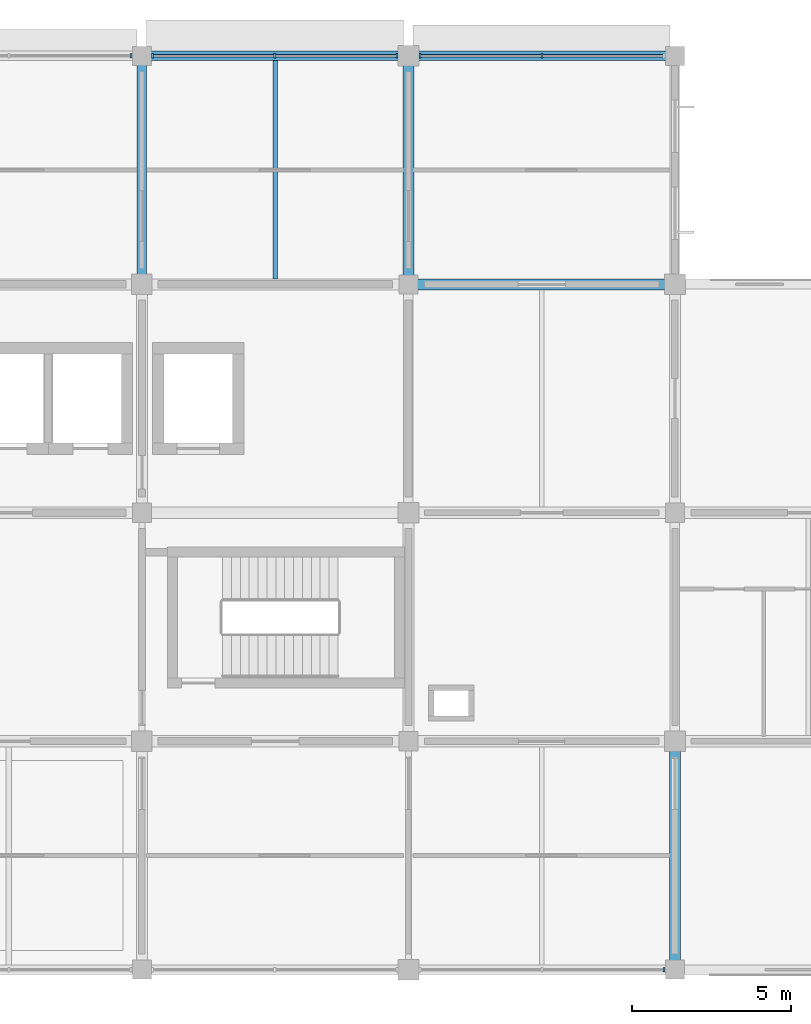
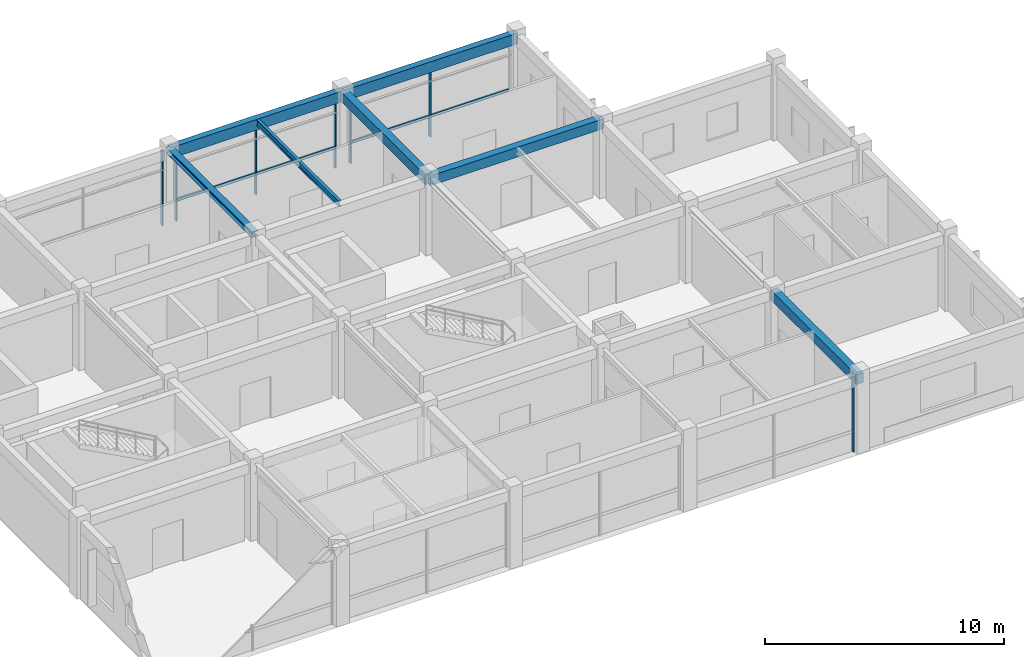
# One storey, part 5 of 13: 11 members, 7 beams, 4 elements without a shape of their own.
"""IFC4 building model written with IfcOpenShell, lengths in metres."""

import ifcopenshell
import ifcopenshell.guid

model = None  # the IFC model being written
_history = None  # IfcOwnerHistory: only IFC2X3 demands one
_inside = {}  # id of a spatial element -> (the spatial element, [elements in it])
_under = {}  # id of a project, library or spatial element -> (it, [spatial elements below it])
_declared = {}  # id of a project -> (the project, [libraries it declares])
_typed = {}  # id of a type object -> (the type object, [elements of that type])
_made_of = {}  # id of a material, layer set ... -> (it, [elements and type objects made of it])


def new_model(schema):
    """Start an empty IFC model of exactly this schema.

    Asked for "IFC4X3", IfcOpenShell would pick the latest addendum, in which some entities
    have other attributes; the version numbers below select the first issue.
    IFC2X3 requires an IfcOwnerHistory on every rooted entity: one is made here for all.
    """
    global model, _history
    if schema == "IFC4X3":
        model = ifcopenshell.file(schema_version=(4, 3, 0, 0))
    else:
        model = ifcopenshell.file(schema=schema)
    _inside.clear()
    _under.clear()
    _declared.clear()
    _typed.clear()
    _made_of.clear()
    _history = None
    if model.schema == "IFC2X3":
        org = make("IfcOrganization", Name="unknown")
        user = make(
            "IfcPersonAndOrganization",
            ThePerson=make("IfcPerson", FamilyName="unknown"),
            TheOrganization=org,
        )
        app = make(
            "IfcApplication",
            ApplicationDeveloper=org,
            Version="unknown",
            ApplicationFullName="unknown",
            ApplicationIdentifier="unknown",
        )
        _history = make(
            "IfcOwnerHistory",
            OwningUser=user,
            OwningApplication=app,
            ChangeAction="ADDED",
            CreationDate=0,
        )
    return model


def make(cls, **values):
    """One entity of the class cls with the attributes given. An attribute that is None is left unset."""
    return model.create_entity(
        cls, **{name: value for name, value in values.items() if value is not None}
    )


def rooted(cls, **values):
    """An entity with a GlobalId (a new one), such as an element, a storey or a relation."""
    return make(cls, GlobalId=ifcopenshell.guid.new(), OwnerHistory=_history, **values)


def si_unit(unit_type, name, prefix=None):
    """IfcSIUnit, for example si_unit("LENGTHUNIT", "METRE", prefix="MILLI")."""
    return make("IfcSIUnit", UnitType=unit_type, Prefix=prefix, Name=name)


def derived_unit(unit_type, elements):
    """IfcDerivedUnit: a product of units, each with its exponent."""
    return make(
        "IfcDerivedUnit",
        Elements=[
            make("IfcDerivedUnitElement", Unit=unit, Exponent=power)
            for unit, power in elements
        ],
        UnitType=unit_type,
    )


def assignment(units):
    """IfcUnitAssignment: the units of a project."""
    return None if units is None else make("IfcUnitAssignment", Units=units)


def point(xyz):
    """IfcCartesianPoint."""
    return None if xyz is None else make("IfcCartesianPoint", Coordinates=xyz)


def direction(xyz):
    """IfcDirection."""
    return None if xyz is None else make("IfcDirection", DirectionRatios=xyz)


def frame(location, z_axis=None, x_axis=None):
    """IfcAxis2Placement3D, a coordinate frame: its origin and axes. An axis left out is left unset."""
    return make(
        "IfcAxis2Placement3D",
        Location=point(location),
        Axis=direction(z_axis),
        RefDirection=direction(x_axis),
    )


def frame_2d(location, x_axis=None):
    """IfcAxis2Placement2D, a coordinate frame in the plane: its origin and x axis."""
    return make(
        "IfcAxis2Placement2D", Location=point(location), RefDirection=direction(x_axis)
    )


def origin():
    """The frame at (0, 0, 0) with its axes left unset."""
    return frame((0.0, 0.0, 0.0))


def origin_2d():
    """The frame at (0, 0) in the plane with its x axis left unset."""
    return frame_2d((0.0, 0.0))


def place(relative_to, where):
    """IfcLocalPlacement: puts the frame where relative to a parent placement (None: the world)."""
    return make(
        "IfcLocalPlacement", PlacementRelTo=relative_to, RelativePlacement=where
    )


def context(
    kind, dimensions, precision=None, world=None, true_north=None, identifier=None
):
    """IfcGeometricRepresentationContext, for example the 3D "Model" context."""
    return make(
        "IfcGeometricRepresentationContext",
        ContextIdentifier=identifier,
        ContextType=kind,
        CoordinateSpaceDimension=dimensions,
        Precision=precision,
        WorldCoordinateSystem=world,
        TrueNorth=true_north,
    )


def subcontext(parent, identifier, kind, view, scale=None):
    """IfcGeometricRepresentationSubContext, for example "Body" below "Model"."""
    return make(
        "IfcGeometricRepresentationSubContext",
        ContextIdentifier=identifier,
        ContextType=kind,
        ParentContext=parent,
        TargetScale=scale,
        TargetView=view,
    )


def project(units=None, contexts=None):
    """IfcProject with its units and contexts."""
    return rooted(
        "IfcProject",
        Name="project",
        RepresentationContexts=contexts,
        UnitsInContext=assignment(units),
    )


def spatial(cls, under=None, at=None, **own):
    """A site, building, storey or space (cls), placed at a placement, below another one or the project."""
    s = rooted(cls, ObjectPlacement=at, **own)
    if under is not None:
        _under.setdefault(under.id(), (under, []))[1].append(s)
    return s


def profile(cls, at=None, kind="AREA", **sizes):
    """A parametric profile (cls). Its sizes go by their IFC names, for example OverallWidth=200.0."""
    return make(cls, ProfileType=kind, Position=at, **sizes)


def rectangle(**sizes):
    """IfcRectangleProfileDef."""
    return profile("IfcRectangleProfileDef", **sizes)


def i_section(**sizes):
    """IfcIShapeProfileDef."""
    return profile("IfcIShapeProfileDef", **sizes)


def extrude(swept, where, along, depth):
    """IfcExtrudedAreaSolid: the profile swept, set in the frame where, extruded along a direction by depth."""
    return make(
        "IfcExtrudedAreaSolid",
        SweptArea=swept,
        Position=where,
        ExtrudedDirection=direction(along),
        Depth=depth,
    )


def shape(context_of_items, identifier, shape_type, items):
    """IfcShapeRepresentation: the items that make up one representation, for example the "Body"."""
    return make(
        "IfcShapeRepresentation",
        ContextOfItems=context_of_items,
        RepresentationIdentifier=identifier,
        RepresentationType=shape_type,
        Items=items,
    )


def material(Name=None, Category=None):
    """IfcMaterial."""
    return make("IfcMaterial", Name=Name, Category=Category)


def material_profile(
    of_material, cross_section, Name=None, Category=None, Priority=None
):
    """IfcMaterialProfile: a cross section and its material."""
    return make(
        "IfcMaterialProfile",
        Name=Name,
        Material=of_material,
        Profile=cross_section,
        Priority=Priority,
        Category=Category,
    )


def profile_set(profiles, Name=None, composite=None):
    """IfcMaterialProfileSet."""
    return make(
        "IfcMaterialProfileSet",
        Name=Name,
        MaterialProfiles=profiles,
        CompositeProfile=composite,
    )


def made_of(thing, what):
    """Note that an element or type object is made of a material, layer set ...; save() writes the relation."""
    if what is not None:
        _made_of.setdefault(what.id(), (what, []))[1].append(thing)
    return thing


def type_object(cls, material=None, **own):
    """A type object (cls), such as IfcWallType, which elements share."""
    return made_of(rooted(cls, **own), material)


def element(
    cls,
    number,
    at=None,
    inside=None,
    cuts=None,
    type_object=None,
    material=None,
    context=None,
    identifier="Body",
    shape_type=None,
    held_by="IfcProductDefinitionShape",
    body=None,
    shapes=None,
    **own,
):
    """One element of the class cls, such as IfcWall. Its Tag is "e" and its number.

    at: its placement. inside: the storey or other place that contains it. cuts: it is an
    opening in that element (IfcRelVoidsElement). A single representation is given by context,
    identifier, shape_type and body (its items); several are given by shapes. held_by: the class
    of the entity that holds the representations. save() writes the other relations.
    """
    e = rooted(cls, Tag="e%d" % number, ObjectPlacement=at, **own)
    if body is not None:
        shapes = [shape(context, identifier, shape_type, body)]
    if shapes is not None:
        e.Representation = make(held_by, Representations=shapes)
    if inside is not None:
        _inside.setdefault(inside.id(), (inside, []))[1].append(e)
    if cuts is not None:
        rooted(
            "IfcRelVoidsElement", RelatingBuildingElement=cuts, RelatedOpeningElement=e
        )
    if type_object is not None:
        _typed.setdefault(type_object.id(), (type_object, []))[1].append(e)
    return made_of(e, material)


def aggregate(whole, parts):
    """IfcRelAggregates: a whole, such as a stair, and the parts it consists of."""
    return rooted("IfcRelAggregates", RelatingObject=whole, RelatedObjects=parts)


def save(model, path):
    """Write the relations noted so far, then the file.

    IfcRelAggregates (storeys below a building ...), IfcRelContainedInSpatialStructure (elements
    in a storey), IfcRelDefinesByType, IfcRelAssociatesMaterial and IfcRelDeclares: one each for
    every whole, place, type object, material and project.
    """
    for whole, parts in _under.values():
        aggregate(whole, parts)
    for where, things in _inside.values():
        rooted(
            "IfcRelContainedInSpatialStructure",
            RelatedElements=things,
            RelatingStructure=where,
        )
    for kind, things in _typed.values():
        rooted("IfcRelDefinesByType", RelatedObjects=things, RelatingType=kind)
    for what, things in _made_of.values():
        rooted("IfcRelAssociatesMaterial", RelatedObjects=things, RelatingMaterial=what)
    for by, libraries in _declared.values():
        rooted("IfcRelDeclares", RelatingContext=by, RelatedDefinitions=libraries)
    model.write(path)


model = new_model("IFC4")

# Units and contexts
model_context = context("Model", 3, precision=1e-05, world=origin(), true_north=direction((0.0, 1.0)))
body_context = subcontext(model_context, "Body", "Model", "MODEL_VIEW")
ifc_project = project(units=[si_unit("LENGTHUNIT", "METRE"), si_unit("AREAUNIT", "SQUARE_METRE"), si_unit("VOLUMEUNIT", "CUBIC_METRE"), si_unit("PLANEANGLEUNIT", "RADIAN"), si_unit("MASSUNIT", "GRAM", prefix="KILO"), derived_unit("THERMALTRANSMITTANCEUNIT", [(si_unit("MASSUNIT", "GRAM", prefix="KILO"), 1), (si_unit("TIMEUNIT", "SECOND"), -3), (si_unit("THERMODYNAMICTEMPERATUREUNIT", "KELVIN"), -1)])], contexts=[model_context])

# Site, building, storey
site_placement = place(None, origin())
site = spatial("IfcSite", under=ifc_project, at=site_placement, CompositionType="ELEMENT")
building_placement = place(site_placement, origin())
building = spatial("IfcBuilding", under=site, at=building_placement, Name="Veldstrom Oceanarium and Marine Research Institute", CompositionType="ELEMENT")
storey_placement = place(building_placement, frame((0.0, 0.0, 56.39990234375)))
storey = spatial("IfcBuildingStorey", under=building, at=storey_placement, Name="L12", CompositionType="ELEMENT", Elevation=56.39990234375)

# Curtain wall, member
ifc_material_1 = material(Name="Anodised Aluminium Framing", Category="aluminium")
curtain_wall_type = type_object("IfcCurtainWallType", Name="ARC-CW-CW04", PredefinedType="USERDEFINED", material=ifc_material_1)
curtain_wall_1_placement = place(storey_placement, origin())
curtain_wall_1 = element("IfcCurtainWall", 1, at=curtain_wall_1_placement, inside=storey, type_object=curtain_wall_type, Name="Curtain Wall CW04 CW-L12-162", ObjectType="Curtain wall", PredefinedType="USERDEFINED")
ifc_material_2 = material(Name="Anodised Aluminium Framing", Category="aluminium")
ifc_material_profile_1 = material_profile(ifc_material_2, rectangle(XDim=0.06494140625, YDim=0.14990234375, at=origin_2d()), Name="ALU-MUL-65x150")
ifc_profile_set_1 = profile_set([ifc_material_profile_1], Name="Anodised Aluminium Framing")
member_type_1 = type_object("IfcMemberType", Name="ARC-MUL-ML2", PredefinedType="MULLION", material=ifc_profile_set_1)
member_1_placement = place(storey_placement, frame((92.06005859375, 72.0, 0.0), z_axis=(0.0, 0.0, 1.0), x_axis=(1.0, 0.0, 0.0)))
member_1 = element("IfcMember", 2, at=member_1_placement, type_object=member_type_1, Name="Curtain Wall Mullion CW-L12-162-MUL-3", PredefinedType="MULLION", context=body_context, shape_type="SweptSolid", body=[
    extrude(rectangle(XDim=0.06494140625, YDim=0.14990234375, at=origin_2d()), origin(), (0.0, 0.0, 1.0), 3.85009765625),
])
aggregate(curtain_wall_1, [member_1])

# Curtain wall, members
curtain_wall_2_placement = place(storey_placement, origin())
curtain_wall_2 = element("IfcCurtainWall", 3, at=curtain_wall_2_placement, inside=storey, type_object=curtain_wall_type, Name="Curtain Wall CW04 CW-L12-164", ObjectType="Curtain wall", PredefinedType="USERDEFINED")
member_2_placement = place(storey_placement, frame((92.739990234375, 72.0, 0.0), z_axis=(0.0, 0.0, 1.0), x_axis=(1.0, 0.0, 0.0)))
member_2 = element("IfcMember", 4, at=member_2_placement, type_object=member_type_1, Name="Curtain Wall Mullion CW-L12-164-MUL-1", PredefinedType="MULLION", context=body_context, shape_type="SweptSolid", body=[
    extrude(rectangle(XDim=0.06494140625, YDim=0.14990234375, at=origin_2d()), origin(), (0.0, 0.0, 1.0), 3.85009765625),
])
member_3_placement = place(storey_placement, frame((96.58740234375, 72.0, 0.0), z_axis=(0.0, 0.0, 1.0), x_axis=(1.0, 0.0, 0.0)))
member_3 = element("IfcMember", 5, at=member_3_placement, type_object=member_type_1, Name="Curtain Wall Mullion CW-L12-164-MUL-2", PredefinedType="MULLION", context=body_context, shape_type="SweptSolid", body=[
    extrude(rectangle(XDim=0.06494140625, YDim=0.14990234375, at=origin_2d()), origin(), (0.0, 0.0, 1.0), 3.85009765625),
])
member_4_placement = place(storey_placement, frame((100.43505859375, 72.0, 0.0), z_axis=(0.0, 0.0, 1.0), x_axis=(1.0, 0.0, 0.0)))
member_4 = element("IfcMember", 6, at=member_4_placement, type_object=member_type_1, Name="Curtain Wall Mullion CW-L12-164-MUL-3", PredefinedType="MULLION", context=body_context, shape_type="SweptSolid", body=[
    extrude(rectangle(XDim=0.06494140625, YDim=0.14990234375, at=origin_2d()), origin(), (0.0, 0.0, 1.0), 3.85009765625),
])

# Curtain wall, member
curtain_wall_3_placement = place(storey_placement, origin())
curtain_wall_3 = element("IfcCurtainWall", 7, at=curtain_wall_3_placement, inside=storey, type_object=curtain_wall_type, Name="Curtain Wall CW04 CW-L12-165", ObjectType="Curtain wall", PredefinedType="USERDEFINED")
member_5_placement = place(storey_placement, frame((108.860107421875, 43.199951171875, 0.0), z_axis=(0.0, 0.0, 1.0), x_axis=(1.0, 0.0, 0.0)))
member_5 = element("IfcMember", 8, at=member_5_placement, type_object=member_type_1, Name="Curtain Wall Mullion CW-L12-165-MUL-3", PredefinedType="MULLION", context=body_context, shape_type="SweptSolid", body=[
    extrude(rectangle(XDim=0.06494140625, YDim=0.14990234375, at=origin_2d()), origin(), (0.0, 0.0, 1.0), 3.85009765625),
])
aggregate(curtain_wall_3, [member_5])

# Curtain wall, members
curtain_wall_4_placement = place(storey_placement, origin())
curtain_wall_4 = element("IfcCurtainWall", 9, at=curtain_wall_4_placement, inside=storey, type_object=curtain_wall_type, Name="Curtain Wall CW04 CW-L12-166", ObjectType="Curtain wall", PredefinedType="USERDEFINED")
member_6_placement = place(storey_placement, frame((101.1650390625, 72.0, 0.0), z_axis=(0.0, 0.0, 1.0), x_axis=(1.0, 0.0, 0.0)))
member_6 = element("IfcMember", 10, at=member_6_placement, type_object=member_type_1, Name="Curtain Wall Mullion CW-L12-166-MUL-1", PredefinedType="MULLION", context=body_context, shape_type="SweptSolid", body=[
    extrude(rectangle(XDim=0.06494140625, YDim=0.14990234375, at=origin_2d()), origin(), (0.0, 0.0, 1.0), 3.85009765625),
])
member_7_placement = place(storey_placement, frame((105.012451171875, 72.0, 0.0), z_axis=(0.0, 0.0, 1.0), x_axis=(1.0, 0.0, 0.0)))
member_7 = element("IfcMember", 11, at=member_7_placement, type_object=member_type_1, Name="Curtain Wall Mullion CW-L12-166-MUL-2", PredefinedType="MULLION", context=body_context, shape_type="SweptSolid", body=[
    extrude(rectangle(XDim=0.06494140625, YDim=0.14990234375, at=origin_2d()), origin(), (0.0, 0.0, 1.0), 3.85009765625),
])

# Member
ifc_material_3 = material(Name="Anodised Aluminium Framing", Category="aluminium")
ifc_material_profile_2 = material_profile(ifc_material_3, rectangle(XDim=0.074951171875, YDim=0.14990234375, at=origin_2d()), Name="ALU-TRN-75x150")
ifc_profile_set_2 = profile_set([ifc_material_profile_2], Name="Anodised Aluminium Framing")
member_type_2 = type_object("IfcMemberType", Name="ARC-TRN-TR1", PredefinedType="USERDEFINED", material=ifc_profile_set_2)
member_8_placement = place(storey_placement, frame((92.780029296875, 72.0, 1.050048828125), z_axis=(1.0, 0.0, 0.0), x_axis=(0.0, 1.0, 0.0)))
member_8 = element("IfcMember", 12, at=member_8_placement, type_object=member_type_2, Name="Curtain Wall Transom CW-L12-164-TRN-1", ObjectType="Transom", PredefinedType="USERDEFINED", context=body_context, shape_type="SweptSolid", body=[
    extrude(rectangle(XDim=0.074951171875, YDim=0.14990234375, at=origin_2d()), origin(), (0.0, 0.0, 1.0), 3.767578125),
])

member_9_placement = place(storey_placement, frame((96.62744140625, 72.0, 1.050048828125), z_axis=(1.0, 0.0, 0.0), x_axis=(0.0, 1.0, 0.0)))
member_9 = element("IfcMember", 13, at=member_9_placement, type_object=member_type_2, Name="Curtain Wall Transom CW-L12-164-TRN-2", ObjectType="Transom", PredefinedType="USERDEFINED", context=body_context, shape_type="SweptSolid", body=[
    extrude(rectangle(XDim=0.074951171875, YDim=0.14990234375, at=origin_2d()), origin(), (0.0, 0.0, 1.0), 3.767578125),
])

aggregate(curtain_wall_2, [member_2, member_3, member_4, member_8, member_9])

member_10_placement = place(storey_placement, frame((101.205078125, 72.0, 1.050048828125), z_axis=(1.0, 0.0, 0.0), x_axis=(0.0, 1.0, 0.0)))
member_10 = element("IfcMember", 14, at=member_10_placement, type_object=member_type_2, Name="Curtain Wall Transom CW-L12-166-TRN-1", ObjectType="Transom", PredefinedType="USERDEFINED", context=body_context, shape_type="SweptSolid", body=[
    extrude(rectangle(XDim=0.074951171875, YDim=0.14990234375, at=origin_2d()), origin(), (0.0, 0.0, 1.0), 3.767333984375),
])

member_11_placement = place(storey_placement, frame((105.052490234375, 72.0, 1.050048828125), z_axis=(1.0, 0.0, 0.0), x_axis=(0.0, 1.0, 0.0)))
member_11 = element("IfcMember", 15, at=member_11_placement, type_object=member_type_2, Name="Curtain Wall Transom CW-L12-166-TRN-2", ObjectType="Transom", PredefinedType="USERDEFINED", context=body_context, shape_type="SweptSolid", body=[
    extrude(rectangle(XDim=0.074951171875, YDim=0.14990234375, at=origin_2d()), origin(), (0.0, 0.0, 1.0), 3.767578125),
])

aggregate(curtain_wall_4, [member_6, member_7, member_10, member_11])

# Beams
ifc_material_4 = material(Name="Concrete C40/50", Category="concrete")
ifc_material_profile_3 = material_profile(ifc_material_4, rectangle(XDim=0.35009765625, YDim=0.5, at=origin_2d()), Name="RC-BM-350x500")
ifc_profile_set_3 = profile_set([ifc_material_profile_3], Name="Concrete C40/50")
beam_type_1 = type_object("IfcBeamType", Name="STR-BM-B08", PredefinedType="BEAM", material=ifc_profile_set_3)
beam_1_placement = place(storey_placement, frame((100.800048828125, 64.800048828125, 3.6650390625), z_axis=(1.0, 0.0, 0.0), x_axis=(0.0, 1.0, 0.0)))
element("IfcBeam", 16, at=beam_1_placement, inside=storey, type_object=beam_type_1, Name="Primary Beam B08 L12-2686", PredefinedType="BEAM", context=body_context, shape_type="SweptSolid", body=[
    extrude(rectangle(XDim=0.35009765625, YDim=0.5, at=origin_2d()), origin(), (0.0, 0.0, 1.0), 8.39990234375),
])
for number, where, z_axis, x_axis, name in (
    (17, (100.800048828125, 64.800048828125, 3.6650390625), (0.0, 1.0, 0.0), (-1.0, 0.0, 0.0), "Primary Beam B08 L12-2707"),
    (18, (109.199951171875, 43.199951171875, 3.59521484375), (0.0, 1.0, 0.0), (-1.0, 0.0, 0.0), "Primary Beam B08 L12-2708"),
):
    element("IfcBeam", number, at=place(storey_placement, frame(where, z_axis=z_axis, x_axis=x_axis)), inside=storey, type_object=beam_type_1, Name=name, PredefinedType="BEAM", context=body_context, shape_type="SweptSolid", body=[
        extrude(rectangle(XDim=0.35009765625, YDim=0.5, at=origin_2d()), origin(), (0.0, 0.0, 1.0), 7.199951171875),
    ])
ifc_material_5 = material(Name="Steel S355JR", Category="steel")
ifc_material_profile_4 = material_profile(ifc_material_5, i_section(OverallWidth=0.300048828125, OverallDepth=0.2900390625, WebThickness=0.008544921875, FlangeThickness=0.013916015625, FilletRadius=0.027099609375, at=origin_2d()), Name="HEA 300")
ifc_profile_set_4 = profile_set([ifc_material_profile_4], Name="Steel S355JR")
beam_type_2 = type_object("IfcBeamType", Name="STR-BM-SB10", PredefinedType="BEAM", material=ifc_profile_set_4)
beam_2_placement = place(storey_placement, frame((92.39990234375, 64.800048828125, 3.77001953125), z_axis=(0.0, 1.0, 0.0), x_axis=(-1.0, 0.0, 0.0)))
element("IfcBeam", 19, at=beam_2_placement, inside=storey, type_object=beam_type_2, Name="Steel Tie Beam SB10 L12-2703", PredefinedType="BEAM", context=body_context, shape_type="SweptSolid", body=[
    extrude(i_section(OverallWidth=0.300048828125, OverallDepth=0.2900390625, WebThickness=0.008544921875, FlangeThickness=0.013916015625, FilletRadius=0.027099609375, at=origin_2d()), origin(), (0.0, 0.0, 1.0), 7.199951171875),
])
ifc_material_6 = material(Name="Steel S355JR", Category="steel")
ifc_material_profile_5 = material_profile(ifc_material_6, i_section(OverallWidth=0.14990234375, OverallDepth=0.300048828125, WebThickness=0.007080078125, FlangeThickness=0.0107421875, FilletRadius=0.014892578125, at=origin_2d()), Name="IPE 300")
ifc_profile_set_5 = profile_set([ifc_material_profile_5], Name="Steel S355JR")
beam_type_3 = type_object("IfcBeamType", Name="STR-JST-SJ2", PredefinedType="JOIST", material=ifc_profile_set_5)
beam_3_placement = place(storey_placement, frame((96.60009765625, 64.97509765625, 3.76513671875), z_axis=(0.0, 1.0, 0.0), x_axis=(-1.0, 0.0, 0.0)))
element("IfcBeam", 20, at=beam_3_placement, inside=storey, type_object=beam_type_3, Name="Secondary Joist SJ2 L12-2717", PredefinedType="JOIST", context=body_context, shape_type="SweptSolid", body=[
    extrude(i_section(OverallWidth=0.14990234375, OverallDepth=0.300048828125, WebThickness=0.007080078125, FlangeThickness=0.0107421875, FilletRadius=0.014892578125, at=origin_2d()), origin(), (0.0, 0.0, 1.0), 6.875),
])
ifc_material_7 = material(Name="Concrete C40/50", Category="concrete")
ifc_material_profile_6 = material_profile(ifc_material_7, rectangle(XDim=0.300048828125, YDim=0.550048828125, at=origin_2d()), Name="RC-SPN-300x550")
ifc_profile_set_6 = profile_set([ifc_material_profile_6], Name="Concrete C40/50")
beam_type_4 = type_object("IfcBeamType", Name="STR-SPN-SP2", PredefinedType="SPANDREL", material=ifc_profile_set_6)
beam_4_placement = place(storey_placement, frame((92.39990234375, 72.0, 3.64013671875), z_axis=(1.0, 0.0, 0.0), x_axis=(0.0, 1.0, 0.0)))
element("IfcBeam", 21, at=beam_4_placement, inside=storey, type_object=beam_type_4, Name="Perimeter Spandrel SPB2 L12-2682", PredefinedType="SPANDREL", context=body_context, shape_type="SweptSolid", body=[
    extrude(rectangle(XDim=0.300048828125, YDim=0.550048828125, at=origin_2d()), origin(), (0.0, 0.0, 1.0), 8.400146484375),
])
beam_5_placement = place(storey_placement, frame((100.800048828125, 72.0, 3.64013671875), z_axis=(1.0, 0.0, 0.0), x_axis=(0.0, 1.0, 0.0)))
element("IfcBeam", 22, at=beam_5_placement, inside=storey, type_object=beam_type_4, Name="Perimeter Spandrel SPB2 L12-2687", PredefinedType="SPANDREL", context=body_context, shape_type="SweptSolid", body=[
    extrude(rectangle(XDim=0.300048828125, YDim=0.550048828125, at=origin_2d()), origin(), (0.0, 0.0, 1.0), 8.39990234375),
])

save(model, "model.ifc")
